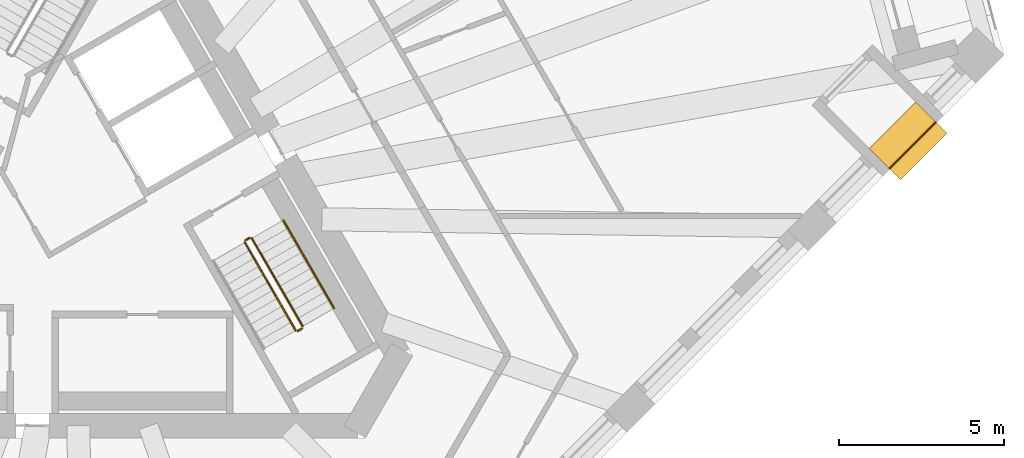
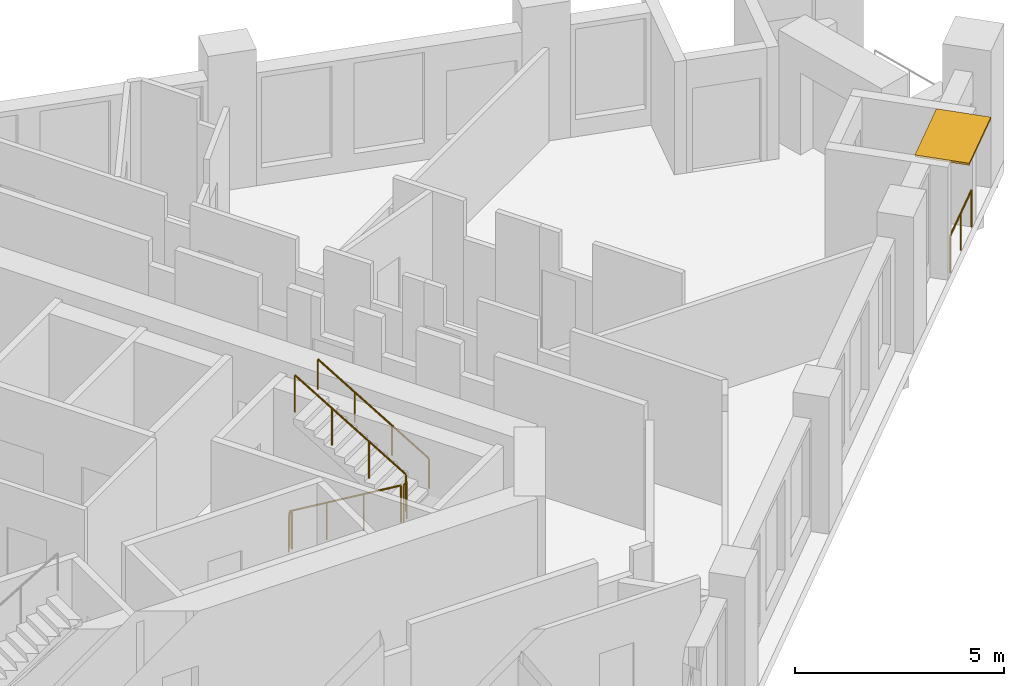
# One storey, part 11 of 13: 6 railings, 1 shading device.
"""IFC4 building model written with IfcOpenShell, lengths in metres."""

from ifc_helpers import new_model, si_unit, direction, frame, origin, origin_2d, place, context, subcontext, project, spatial, rectangle, circle, extrude, material, layer, layer_set, type_object, element, save


model = new_model("IFC4")

# Units and contexts
model_context = context("Model", 3, precision=1e-05, world=origin(), true_north=direction((0.0, 1.0)))
body_context = subcontext(model_context, "Body", "Model", "MODEL_VIEW")
ifc_project = project(units=[si_unit("LENGTHUNIT", "METRE"), si_unit("AREAUNIT", "SQUARE_METRE"), si_unit("VOLUMEUNIT", "CUBIC_METRE"), si_unit("PLANEANGLEUNIT", "RADIAN"), si_unit("MASSUNIT", "GRAM", prefix="KILO")], contexts=[model_context])

# Site, building, storey
site_placement = place(None, origin())
site = spatial("IfcSite", under=ifc_project, at=site_placement, CompositionType="ELEMENT")
building_placement = place(site_placement, origin())
building = spatial("IfcBuilding", under=site, at=building_placement, Name="Tramontana Tower", CompositionType="ELEMENT")
storey_placement = place(building_placement, frame((0.0, 0.0, 208.0)))
storey = spatial("IfcBuildingStorey", under=building, at=storey_placement, Name="L48", CompositionType="ELEMENT", Elevation=208.0)

# Railing
ifc_material_1 = material(Name="Laminated glass balustrade", Category="glass")
railing_type_1 = type_object("IfcRailingType", Name="GD1 Loggia glass balustrade 1100", PredefinedType="BALUSTRADE", material=ifc_material_1)
railing_1_placement = place(storey_placement, frame((24.718017578125, 1.426025390625, 0.0)))
element("IfcRailing", 1, at=railing_1_placement, inside=storey, type_object=railing_type_1, Name="Loggia balustrade L48 G5S1.16", PredefinedType="BALUSTRADE", context=body_context, shape_type="SweptSolid", body=[
    extrude(circle(Radius=0.02392578125, at=origin_2d()), frame((0.0, 0.0, 1.076171875), z_axis=(0.707106781187, 0.707106781187, 0.0), x_axis=(-0.707106781187, 0.707106781187, 0.0)), (0.0, 0.0, 1.0), 1.998046875),
    extrude(circle(Radius=0.02099609375, at=origin_2d()), origin(), (0.0, 0.0, 1.0), 1.052001953125),
    extrude(circle(Radius=0.02099609375, at=origin_2d()), frame((0.70654296875, 0.70654296875, 0.0)), (0.0, 0.0, 1.0), 1.052001953125),
    extrude(circle(Radius=0.02099609375, at=origin_2d()), frame((1.412841796875, 1.412841796875, 0.0)), (0.0, 0.0, 1.0), 1.052001953125),
])

# Shading device
ifc_material_2 = material(Name="Precast concrete 60 MPa", Category="concrete")
ifc_layer = layer(ifc_material_2, 0.06005859375)
ifc_layer_set = layer_set([ifc_layer], Name="SS1 Stone sunshade blade 60")
shading_device_type = type_object("IfcShadingDeviceType", Name="SS1 Stone sunshade blade 60", PredefinedType="USERDEFINED", material=ifc_layer_set)
shading_device_placement = place(storey_placement, frame((25.28662109375, 2.270263671875, 3.239990234375), z_axis=(0.0, 0.0, 1.0), x_axis=(0.707106781187, 0.707106781187, 0.0)))
element("IfcShadingDevice", 2, at=shading_device_placement, inside=storey, type_object=shading_device_type, Name="Sunshade L48 G5S1.16", ObjectType="SUNSHADE", PredefinedType="USERDEFINED", context=body_context, shape_type="SweptSolid", body=[
    extrude(rectangle(XDim=1.998046875, YDim=1.35009765625, at=origin_2d()), origin(), (0.0, 0.0, 1.0), 0.06005859375),
])

# Railings
ifc_material_3 = material(Name="Painted steel", Category="steel")
railing_type_2 = type_object("IfcRailingType", Name="STAIR GUARD 1100", PredefinedType="GUARDRAIL", material=ifc_material_3)
railing_2_placement = place(storey_placement, frame((5.1474609375, -0.815673828125, 0.166748046875)))
element("IfcRailing", 3, at=railing_2_placement, inside=storey, type_object=railing_type_2, Name="L48 ST3 stair guard 1", PredefinedType="GUARDRAIL", context=body_context, shape_type="SweptSolid", body=[
    extrude(circle(Radius=0.02392578125, at=origin_2d()), frame((0.0, 0.0, 1.076171875), z_axis=(0.429671193721, -0.744159446956, 0.511477646425), x_axis=(0.866010015463, 0.500026652407, 0.0)), (0.0, 0.0, 1.0), 3.584228515625),
    extrude(circle(Radius=0.02099609375, at=origin_2d()), origin(), (0.0, 0.0, 1.0), 1.052001953125),
    extrude(circle(Radius=0.02099609375, at=origin_2d()), frame((0.513427734375, -0.88916015625, 0.611083984375)), (0.0, 0.0, 1.0), 1.052001953125),
    extrude(circle(Radius=0.02099609375, at=origin_2d()), frame((1.026611328125, -1.778076171875, 1.22216796875)), (0.0, 0.0, 1.0), 1.052001953125),
    extrude(circle(Radius=0.02099609375, at=origin_2d()), frame((1.5400390625, -2.667236328125, 1.833251953125)), (0.0, 0.0, 1.0), 1.052001953125),
])
railing_3_placement = place(storey_placement, frame((6.90380859375, -3.35791015625, 2.166748046875)))
element("IfcRailing", 4, at=railing_3_placement, inside=storey, type_object=railing_type_2, Name="L48 ST3 stair guard 2", PredefinedType="GUARDRAIL", context=body_context, shape_type="SweptSolid", body=[
    extrude(circle(Radius=0.02392578125, at=origin_2d()), frame((0.0, 0.0, 1.076171875), z_axis=(-0.429615651263, 0.74418122563, 0.511492615401), x_axis=(-0.866044340336, -0.499967199496, 0.0)), (0.0, 0.0, 1.0), 3.584228515625),
    extrude(circle(Radius=0.02099609375, at=origin_2d()), origin(), (0.0, 0.0, 1.0), 1.052001953125),
    extrude(circle(Radius=0.02099609375, at=origin_2d()), frame((-0.51318359375, 0.88916015625, 0.611083984375)), (0.0, 0.0, 1.0), 1.052001953125),
    extrude(circle(Radius=0.02099609375, at=origin_2d()), frame((-1.026611328125, 1.778076171875, 1.22216796875)), (0.0, 0.0, 1.0), 1.052001953125),
    extrude(circle(Radius=0.02099609375, at=origin_2d()), frame((-1.539794921875, 2.667236328125, 1.833251953125)), (0.0, 0.0, 1.0), 1.052001953125),
])
for number, where, name in (
    (5, (6.755615234375, -3.501220703125, 2.0), "L48 ST3 stair guard 3"),
    (6, (5.165771484375, -0.747314453125, 0.0), "L48 ST3 stair guard 4"),
):
    element("IfcRailing", number, at=place(storey_placement, frame(where)), inside=storey, type_object=railing_type_2, Name=name, PredefinedType="GUARDRAIL", context=body_context, shape_type="SweptSolid", body=[
        extrude(circle(Radius=0.02392578125, at=origin_2d()), frame((0.0, 0.0, 1.076171875), z_axis=(0.866131372301, 0.499816412211, 0.0), x_axis=(-0.499816412211, 0.866131372301, 0.0)), (0.0, 0.0, 1.0), 0.14990234375),
        extrude(circle(Radius=0.02099609375, at=origin_2d()), origin(), (0.0, 0.0, 1.0), 1.052001953125),
        extrude(circle(Radius=0.02099609375, at=origin_2d()), frame((0.1298828125, 0.074951171875, 0.0)), (0.0, 0.0, 1.0), 1.052001953125),
    ])
ifc_material_4 = material(Name="Painted steel", Category="steel")
railing_type_3 = type_object("IfcRailingType", Name="STAIR HANDRAIL 900", PredefinedType="HANDRAIL", material=ifc_material_4)
railing_4_placement = place(storey_placement, frame((7.8564453125, -2.807861328125, 2.166748046875)))
element("IfcRailing", 7, at=railing_4_placement, inside=storey, type_object=railing_type_3, Name="L48 ST3 stair handrail 2", PredefinedType="HANDRAIL", context=body_context, shape_type="SweptSolid", body=[
    extrude(circle(Radius=0.02392578125, at=origin_2d()), frame((0.0, 0.0, 0.8759765625), z_axis=(-0.429615651263, 0.74418122563, 0.511492615401), x_axis=(-0.866044340336, -0.499967199496, 0.0)), (0.0, 0.0, 1.0), 3.584228515625),
    extrude(circle(Radius=0.02099609375, at=origin_2d()), origin(), (0.0, 0.0, 1.0), 0.851806640625),
    extrude(circle(Radius=0.02099609375, at=origin_2d()), frame((-0.51318359375, 0.88916015625, 0.611083984375)), (0.0, 0.0, 1.0), 0.851806640625),
    extrude(circle(Radius=0.02099609375, at=origin_2d()), frame((-1.026611328125, 1.778076171875, 1.22216796875)), (0.0, 0.0, 1.0), 0.851806640625),
    extrude(circle(Radius=0.02099609375, at=origin_2d()), frame((-1.539794921875, 2.667236328125, 1.833251953125)), (0.0, 0.0, 1.0), 0.851806640625),
])

save(model, "model.ifc")
